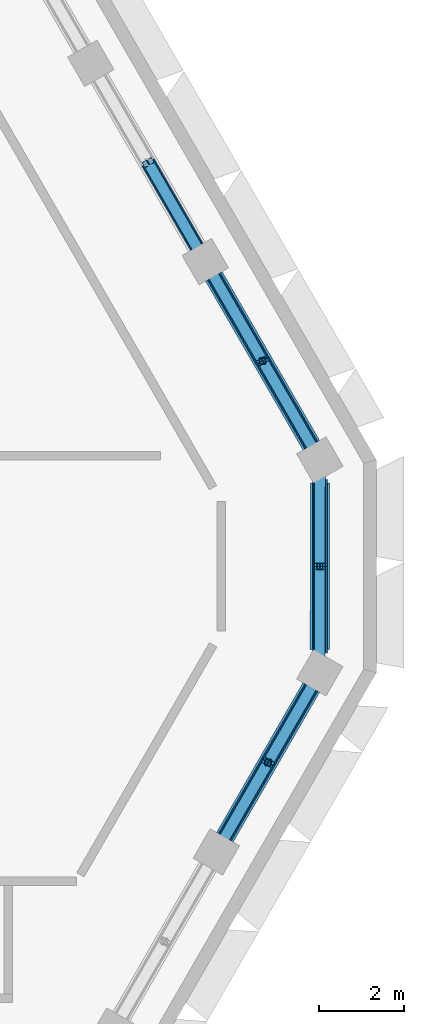
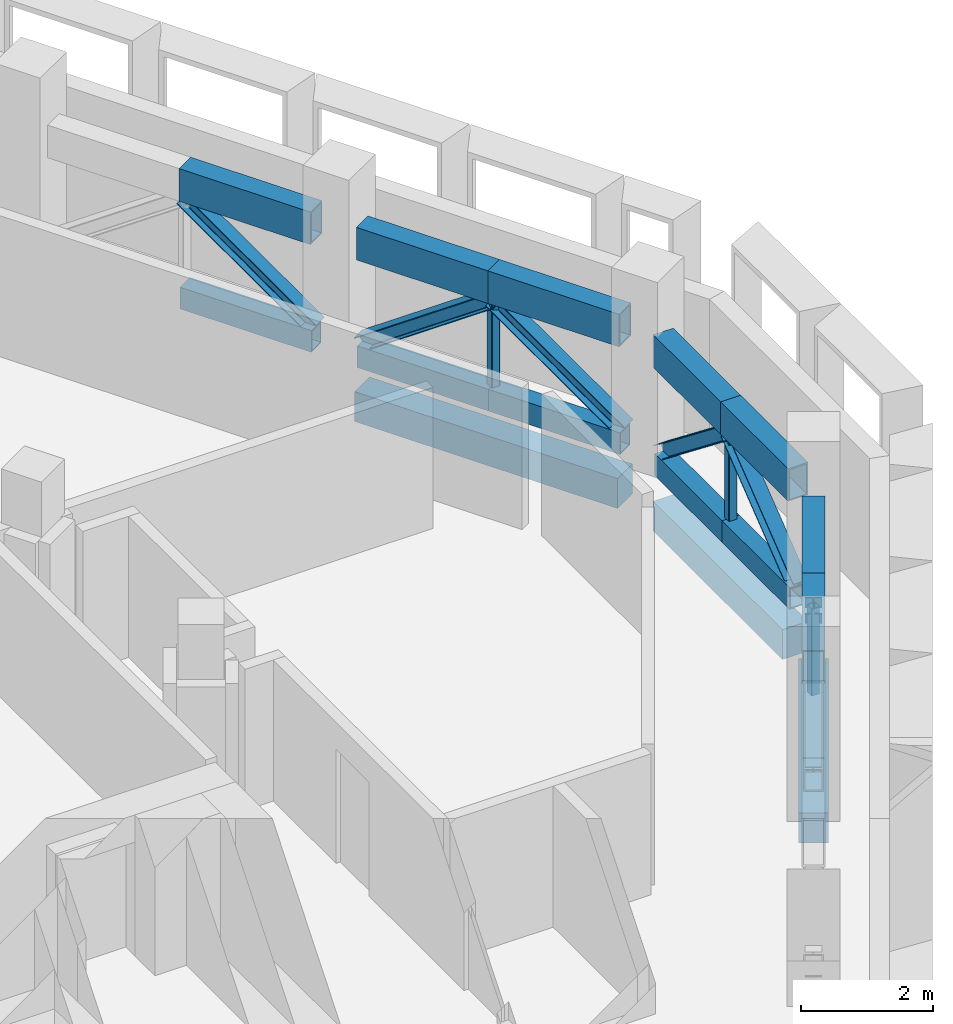
# One storey, part 6 of 24: 24 members, 3 beams.
"""IFC4 building model written with IfcOpenShell, lengths in metres."""

from ifc_helpers import new_model, si_unit, direction, frame, origin, origin_2d, place, context, subcontext, project, spatial, rectangle, hollow_rectangle, i_section, extrude, material, material_profile, profile_set, type_object, element, save


model = new_model("IFC4")

# Units and contexts
model_context = context("Model", 3, precision=1e-05, world=origin(), true_north=direction((0.0, 1.0)))
body_context = subcontext(model_context, "Body", "Model", "MODEL_VIEW")
ifc_project = project(units=[si_unit("LENGTHUNIT", "METRE"), si_unit("AREAUNIT", "SQUARE_METRE"), si_unit("VOLUMEUNIT", "CUBIC_METRE"), si_unit("PLANEANGLEUNIT", "RADIAN"), si_unit("MASSUNIT", "GRAM", prefix="KILO")], contexts=[model_context])

# Site, building, storey
site_placement = place(None, origin())
site = spatial("IfcSite", under=ifc_project, at=site_placement, CompositionType="ELEMENT")
building_placement = place(site_placement, origin())
building = spatial("IfcBuilding", under=site, at=building_placement, Name="Beryl Residences", CompositionType="ELEMENT")
storey_placement = place(building_placement, frame((0.0, 0.0, 199.199951171875)))
storey = spatial("IfcBuildingStorey", under=building, at=storey_placement, Name="L61", CompositionType="ELEMENT", Elevation=199.199951171875)

# Members
ifc_material_1 = material(Name="Steel S355", Category="steel")
ifc_material_profile_1 = material_profile(ifc_material_1, hollow_rectangle(XDim=0.300048828125, YDim=0.39990234375, WallThickness=0.02001953125, at=origin_2d()))
ifc_profile_set_1 = profile_set([ifc_material_profile_1], Name="Steel S355")
member_type_1 = type_object("IfcMemberType", Name="BB4 belt truss bottom chord WB 400x300x20", PredefinedType="CHORD", material=ifc_profile_set_1)
member_1_placement = place(storey_placement, frame((22.593017578125, -6.968017578125, 0.199951171875), z_axis=(0.499691264621, 0.866203578878, 0.0), x_axis=(-0.866203578878, 0.499691264621, 0.0)))
element("IfcMember", 1, at=member_1_placement, inside=storey, type_object=member_type_1, Name="Belt truss BB4-SE-3a L61", PredefinedType="CHORD", context=body_context, shape_type="SweptSolid", body=[
    extrude(hollow_rectangle(XDim=0.300048828125, YDim=0.39990234375, WallThickness=0.02001953125, at=origin_2d()), origin(), (0.0, 0.0, 1.0), 2.032958984375),
])
member_2_placement = place(storey_placement, frame((23.60888671875, -5.20703125, 0.199951171875), z_axis=(0.499989360119, 0.866031546636, 0.0), x_axis=(-0.866031546636, 0.499989360119, 0.0)))
element("IfcMember", 2, at=member_2_placement, inside=storey, type_object=member_type_1, Name="Belt truss BB4-SE-3b L61", PredefinedType="CHORD", context=body_context, shape_type="SweptSolid", body=[
    extrude(hollow_rectangle(XDim=0.300048828125, YDim=0.39990234375, WallThickness=0.02001953125, at=origin_2d()), origin(), (0.0, 0.0, 1.0), 2.0322265625),
])
member_3_placement = place(storey_placement, frame((24.824951171875, -2.638916015625, 0.199951171875), z_axis=(0.0, 1.0, 0.0), x_axis=(-1.0, 0.0, 0.0)))
element("IfcMember", 3, at=member_3_placement, inside=storey, type_object=member_type_1, Name="Belt truss BB4-SE-4a L61", PredefinedType="CHORD", context=body_context, shape_type="SweptSolid", body=[
    extrude(hollow_rectangle(XDim=0.300048828125, YDim=0.39990234375, WallThickness=0.02001953125, at=origin_2d()), origin(), (0.0, 0.0, 1.0), 2.037841796875),
])
member_4_placement = place(storey_placement, frame((24.824951171875, -0.60107421875, 0.199951171875), z_axis=(0.000478927148, 0.999999885314, 0.0), x_axis=(-0.999999885314, 0.000478927148, 0.0)))
element("IfcMember", 4, at=member_4_placement, inside=storey, type_object=member_type_1, Name="Belt truss BB4-SE-4b L61", PredefinedType="CHORD", context=body_context, shape_type="SweptSolid", body=[
    extrude(hollow_rectangle(XDim=0.300048828125, YDim=0.39990234375, WallThickness=0.02001953125, at=origin_2d()), origin(), (0.0, 0.0, 1.0), 2.0390625),
])
member_5_placement = place(storey_placement, frame((24.6259765625, 2.24609375, 0.199951171875), z_axis=(-0.500011369369, 0.866018839577, 0.0), x_axis=(-0.866018839577, -0.500011369369, 0.0)))
element("IfcMember", 5, at=member_5_placement, inside=storey, type_object=member_type_1, Name="Belt truss BB4-NE-0a L61", PredefinedType="CHORD", context=body_context, shape_type="SweptSolid", body=[
    extrude(hollow_rectangle(XDim=0.300048828125, YDim=0.39990234375, WallThickness=0.02001953125, at=origin_2d()), origin(), (0.0, 0.0, 1.0), 2.2919921875),
])
for number, where, z_axis, x_axis, name in (
    (6, (23.47998046875, 4.23095703125, 0.199951171875), (-0.499965247104, 0.866045467449, 0.0), (-0.866045467449, -0.499965247104, 0.0), "Belt truss BB4-NE-0b L61"),
    (7, (21.93408203125, 6.907958984375, 0.199951171875), (-0.499965247104, 0.866045467449, 0.0), (-0.866045467449, -0.499965247104, 0.0), "Belt truss BB4-NE-1a L61"),
):
    element("IfcMember", number, at=place(storey_placement, frame(where, z_axis=z_axis, x_axis=x_axis)), inside=storey, type_object=member_type_1, Name=name, PredefinedType="CHORD", context=body_context, shape_type="SweptSolid", body=[
        extrude(hollow_rectangle(XDim=0.300048828125, YDim=0.39990234375, WallThickness=0.02001953125, at=origin_2d()), origin(), (0.0, 0.0, 1.0), 2.292236328125),
    ])
ifc_material_2 = material(Name="Steel S355", Category="steel")
ifc_material_profile_2 = material_profile(ifc_material_2, i_section(OverallWidth=0.25390625, OverallDepth=0.25390625, WebThickness=0.008544921875, FlangeThickness=0.01416015625, FilletRadius=0.013916015625, at=origin_2d()))
ifc_profile_set_2 = profile_set([ifc_material_profile_2], Name="Steel S355")
member_type_2 = type_object("IfcMemberType", Name="BD4 belt truss diagonal 250UC73", PredefinedType="BRACE", material=ifc_profile_set_2)
member_6_placement = place(storey_placement, frame((22.593017578125, -6.968017578125, 0.400146484375), z_axis=(0.392681571619, 0.680704680627, 0.618419211444), x_axis=(-0.866203578878, 0.499691264621, 0.0)))
element("IfcMember", 8, at=member_6_placement, inside=storey, type_object=member_type_2, Name="Belt truss BD4-SE-3a L61", PredefinedType="BRACE", context=body_context, shape_type="SweptSolid", body=[
    extrude(i_section(OverallWidth=0.25390625, OverallDepth=0.25390625, WebThickness=0.008544921875, FlangeThickness=0.01416015625, FilletRadius=0.013916015625, at=origin_2d()), origin(), (0.0, 0.0, 1.0), 2.5869140625),
])
member_7_placement = place(storey_placement, frame((24.625, -3.447021484375, 0.400146484375), z_axis=(-0.392862313532, -0.68047679439, 0.618555199561), x_axis=(0.866031546636, -0.499989360119, 0.0)))
element("IfcMember", 9, at=member_7_placement, inside=storey, type_object=member_type_2, Name="Belt truss BD4-SE-3b L61", PredefinedType="BRACE", context=body_context, shape_type="SweptSolid", body=[
    extrude(i_section(OverallWidth=0.25390625, OverallDepth=0.25390625, WebThickness=0.008544921875, FlangeThickness=0.01416015625, FilletRadius=0.013916015625, at=origin_2d()), origin(), (0.0, 0.0, 1.0), 2.58642578125),
])
member_8_placement = place(storey_placement, frame((24.824951171875, -2.638916015625, 0.400146484375), z_axis=(0.0, 0.786563520694, 0.617509374758), x_axis=(-1.0, 0.0, 0.0)))
element("IfcMember", 10, at=member_8_placement, inside=storey, type_object=member_type_2, Name="Belt truss BD4-SE-4a L61", PredefinedType="BRACE", context=body_context, shape_type="SweptSolid", body=[
    extrude(i_section(OverallWidth=0.25390625, OverallDepth=0.25390625, WebThickness=0.008544921875, FlangeThickness=0.01416015625, FilletRadius=0.013916015625, at=origin_2d()), origin(), (0.0, 0.0, 1.0), 2.5908203125),
])
member_9_placement = place(storey_placement, frame((24.825927734375, 1.43798828125, 0.400146484375), z_axis=(-0.000376792638, -0.786743028779, 0.617280539702), x_axis=(0.999999885314, -0.000478927148, 0.0)))
element("IfcMember", 11, at=member_9_placement, inside=storey, type_object=member_type_2, Name="Belt truss BD4-SE-4b L61", PredefinedType="BRACE", context=body_context, shape_type="SweptSolid", body=[
    extrude(i_section(OverallWidth=0.25390625, OverallDepth=0.25390625, WebThickness=0.008544921875, FlangeThickness=0.01416015625, FilletRadius=0.013916015625, at=origin_2d()), origin(), (0.0, 0.0, 1.0), 2.591796875),
])
for number, where, z_axis, x_axis, name in (
    (12, (24.6259765625, 2.24609375, 0.400146484375), (-0.410003487219, 0.710125341092, 0.572380241104), (-0.866018839577, -0.500011369369, 0.0), "Belt truss BD4-NE-0a L61"),
    (13, (22.333984375, 6.216064453125, 0.400146484375), (0.409978056811, -0.710168636542, 0.572344739301), (0.866045467449, 0.499965247104, 0.0), "Belt truss BD4-NE-0b L61"),
    (14, (21.93408203125, 6.907958984375, 0.400146484375), (-0.409978056811, 0.710168636542, 0.572344739301), (-0.866045467449, -0.499965247104, 0.0), "Belt truss BD4-NE-1a L61"),
):
    element("IfcMember", number, at=place(storey_placement, frame(where, z_axis=z_axis, x_axis=x_axis)), inside=storey, type_object=member_type_2, Name=name, PredefinedType="BRACE", context=body_context, shape_type="SweptSolid", body=[
        extrude(i_section(OverallWidth=0.25390625, OverallDepth=0.25390625, WebThickness=0.008544921875, FlangeThickness=0.01416015625, FilletRadius=0.013916015625, at=origin_2d()), origin(), (0.0, 0.0, 1.0), 2.795166015625),
    ])
ifc_material_3 = material(Name="Steel S355", Category="steel")
ifc_material_profile_3 = material_profile(ifc_material_3, hollow_rectangle(XDim=0.14990234375, YDim=0.14990234375, WallThickness=0.009033203125, InnerFilletRadius=0.009033203125, OuterFilletRadius=0.01806640625, at=origin_2d()))
ifc_profile_set_3 = profile_set([ifc_material_profile_3], Name="Steel S355")
member_type_3 = type_object("IfcMemberType", Name="BQ4 belt truss post SHS 150x150x9", PredefinedType="POST", material=ifc_profile_set_3)
for number, where, z_axis, x_axis, name in (
    (15, (23.60888671875, -5.20703125, 0.400146484375), (0.0, 0.0, 1.0), (1.0, 0.0, 0.0), "Belt truss BQ4-SE-3 L61"),
    (16, (24.824951171875, -0.60107421875, 0.400146484375), (0.0, 0.0, 1.0), (1.0, 0.0, 0.0), "Belt truss BQ4-SE-4 L61"),
    (17, (23.47998046875, 4.23095703125, 0.400146484375), (0.0, 0.0, 1.0), (1.0, 0.0, 0.0), "Belt truss BQ4-NE-0 L61"),
):
    element("IfcMember", number, at=place(storey_placement, frame(where, z_axis=z_axis, x_axis=x_axis)), inside=storey, type_object=member_type_3, Name=name, PredefinedType="POST", context=body_context, shape_type="SweptSolid", body=[
        extrude(hollow_rectangle(XDim=0.14990234375, YDim=0.14990234375, WallThickness=0.009033203125, InnerFilletRadius=0.009033203125, OuterFilletRadius=0.01806640625, at=origin_2d()), origin(), (0.0, 0.0, 1.0), 1.599853515625),
    ])
ifc_material_4 = material(Name="Steel S355", Category="steel")
ifc_material_profile_4 = material_profile(ifc_material_4, hollow_rectangle(XDim=0.35009765625, YDim=0.60009765625, WallThickness=0.02490234375, at=origin_2d()))
ifc_profile_set_4 = profile_set([ifc_material_profile_4], Name="Steel S355")
member_type_4 = type_object("IfcMemberType", Name="BT4 belt truss top chord WB 600x350x25", PredefinedType="CHORD", material=ifc_profile_set_4)
member_10_placement = place(storey_placement, frame((22.593017578125, -6.968017578125, 2.300048828125), z_axis=(0.499691264621, 0.866203578878, 0.0), x_axis=(-0.866203578878, 0.499691264621, 0.0)))
element("IfcMember", 18, at=member_10_placement, inside=storey, type_object=member_type_4, Name="Belt truss BT4-SE-3a L61", PredefinedType="CHORD", context=body_context, shape_type="SweptSolid", body=[
    extrude(hollow_rectangle(XDim=0.35009765625, YDim=0.60009765625, WallThickness=0.02490234375, at=origin_2d()), origin(), (0.0, 0.0, 1.0), 2.032958984375),
])
member_11_placement = place(storey_placement, frame((23.60888671875, -5.20703125, 2.300048828125), z_axis=(0.499989360119, 0.866031546636, 0.0), x_axis=(-0.866031546636, 0.499989360119, 0.0)))
element("IfcMember", 19, at=member_11_placement, inside=storey, type_object=member_type_4, Name="Belt truss BT4-SE-3b L61", PredefinedType="CHORD", context=body_context, shape_type="SweptSolid", body=[
    extrude(hollow_rectangle(XDim=0.35009765625, YDim=0.60009765625, WallThickness=0.02490234375, at=origin_2d()), origin(), (0.0, 0.0, 1.0), 2.0322265625),
])
member_12_placement = place(storey_placement, frame((24.824951171875, -2.638916015625, 2.300048828125), z_axis=(0.0, 1.0, 0.0), x_axis=(-1.0, 0.0, 0.0)))
element("IfcMember", 20, at=member_12_placement, inside=storey, type_object=member_type_4, Name="Belt truss BT4-SE-4a L61", PredefinedType="CHORD", context=body_context, shape_type="SweptSolid", body=[
    extrude(hollow_rectangle(XDim=0.35009765625, YDim=0.60009765625, WallThickness=0.02490234375, at=origin_2d()), origin(), (0.0, 0.0, 1.0), 2.037841796875),
])
member_13_placement = place(storey_placement, frame((24.824951171875, -0.60107421875, 2.300048828125), z_axis=(0.000478927148, 0.999999885314, 0.0), x_axis=(-0.999999885314, 0.000478927148, 0.0)))
element("IfcMember", 21, at=member_13_placement, inside=storey, type_object=member_type_4, Name="Belt truss BT4-SE-4b L61", PredefinedType="CHORD", context=body_context, shape_type="SweptSolid", body=[
    extrude(hollow_rectangle(XDim=0.35009765625, YDim=0.60009765625, WallThickness=0.02490234375, at=origin_2d()), origin(), (0.0, 0.0, 1.0), 2.0390625),
])
member_14_placement = place(storey_placement, frame((24.6259765625, 2.24609375, 2.300048828125), z_axis=(-0.500011369369, 0.866018839577, 0.0), x_axis=(-0.866018839577, -0.500011369369, 0.0)))
element("IfcMember", 22, at=member_14_placement, inside=storey, type_object=member_type_4, Name="Belt truss BT4-NE-0a L61", PredefinedType="CHORD", context=body_context, shape_type="SweptSolid", body=[
    extrude(hollow_rectangle(XDim=0.35009765625, YDim=0.60009765625, WallThickness=0.02490234375, at=origin_2d()), origin(), (0.0, 0.0, 1.0), 2.2919921875),
])
for number, where, z_axis, x_axis, name in (
    (23, (23.47998046875, 4.23095703125, 2.300048828125), (-0.499965247104, 0.866045467449, 0.0), (-0.866045467449, -0.499965247104, 0.0), "Belt truss BT4-NE-0b L61"),
    (24, (21.93408203125, 6.907958984375, 2.300048828125), (-0.499965247104, 0.866045467449, 0.0), (-0.866045467449, -0.499965247104, 0.0), "Belt truss BT4-NE-1a L61"),
):
    element("IfcMember", number, at=place(storey_placement, frame(where, z_axis=z_axis, x_axis=x_axis)), inside=storey, type_object=member_type_4, Name=name, PredefinedType="CHORD", context=body_context, shape_type="SweptSolid", body=[
        extrude(hollow_rectangle(XDim=0.35009765625, YDim=0.60009765625, WallThickness=0.02490234375, at=origin_2d()), origin(), (0.0, 0.0, 1.0), 2.292236328125),
    ])

# Beams
ifc_material_5 = material(Name="Concrete C50/60", Category="concrete")
ifc_material_profile_5 = material_profile(ifc_material_5, rectangle(XDim=0.449951171875, YDim=0.550048828125, at=origin_2d()))
ifc_profile_set_5 = profile_set([ifc_material_profile_5], Name="Concrete C50/60")
beam_type = type_object("IfcBeamType", Name="SB4 spandrel beam 450 x 550 C50/60", PredefinedType="SPANDREL", material=ifc_profile_set_5)
beam_1_placement = place(storey_placement, frame((22.593017578125, -6.968017578125, -0.675048828125), z_axis=(0.499840293234, 0.866117590896, 0.0), x_axis=(-0.866117590896, 0.499840293234, 0.0)))
element("IfcBeam", 25, at=beam_1_placement, inside=storey, type_object=beam_type, Name="SB4 L61 SE-3", PredefinedType="SPANDREL", context=body_context, shape_type="SweptSolid", body=[
    extrude(rectangle(XDim=0.449951171875, YDim=0.550048828125, at=origin_2d()), origin(), (0.0, 0.0, 1.0), 4.065185546875),
])
beam_2_placement = place(storey_placement, frame((24.824951171875, -2.554931640625, -0.675048828125), z_axis=(0.000249828235, 0.999999968793, 0.0), x_axis=(-0.999999968793, 0.000249828235, 0.0)))
element("IfcBeam", 26, at=beam_2_placement, inside=storey, type_object=beam_type, Name="SB4 L61 SE-4", PredefinedType="SPANDREL", context=body_context, shape_type="SweptSolid", body=[
    extrude(rectangle(XDim=0.449951171875, YDim=0.550048828125, at=origin_2d()), origin(), (0.0, 0.0, 1.0), 3.908935546875),
])
beam_3_placement = place(storey_placement, frame((24.6259765625, 2.24609375, -0.675048828125), z_axis=(-0.49998830735, 0.866032154434, 0.0), x_axis=(-0.866032154434, -0.49998830735, 0.0)))
element("IfcBeam", 27, at=beam_3_placement, inside=storey, type_object=beam_type, Name="SB4 L61 NE-0", PredefinedType="SPANDREL", context=body_context, shape_type="SweptSolid", body=[
    extrude(rectangle(XDim=0.449951171875, YDim=0.550048828125, at=origin_2d()), origin(), (0.0, 0.0, 1.0), 4.583984375),
])

save(model, "model.ifc")
